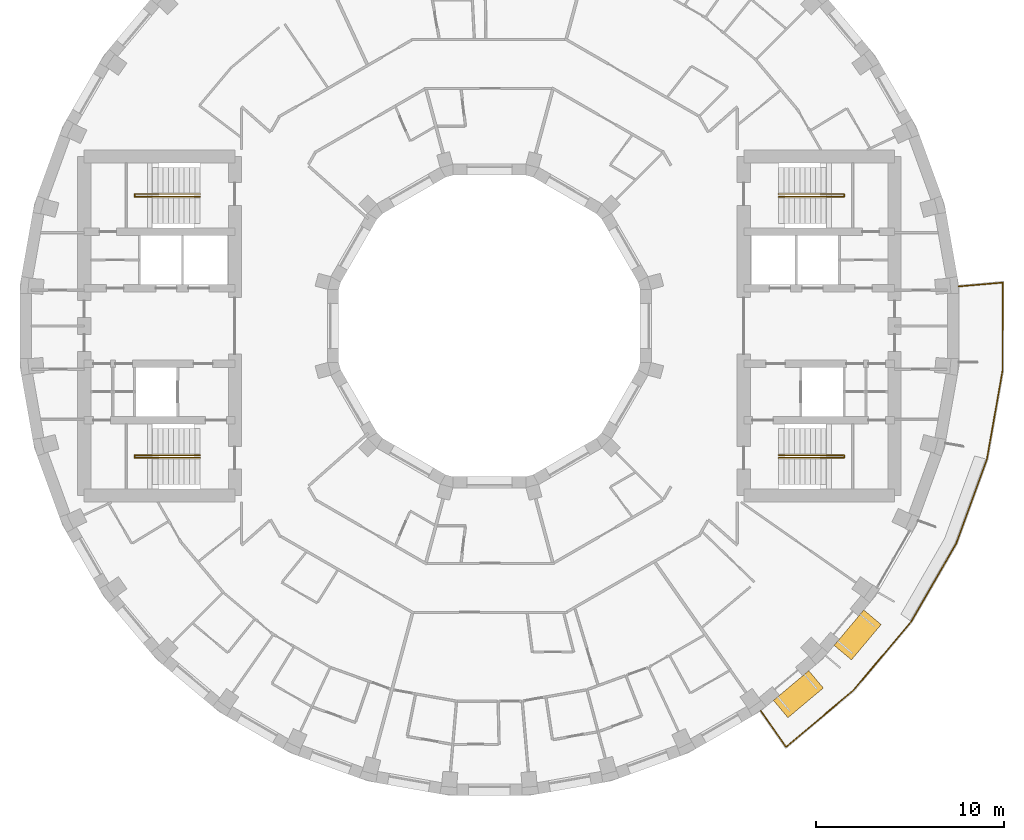
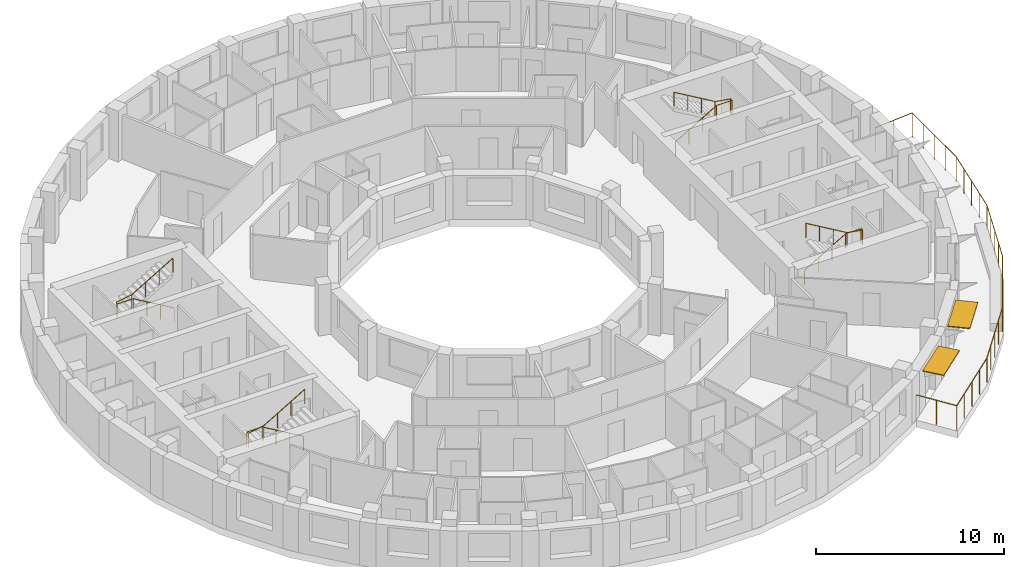
# One storey, part 14 of 14: 5 railings, 2 shading devices.
"""IFC4 building model written with IfcOpenShell, lengths in metres."""

import ifcopenshell
import ifcopenshell.guid

model = None  # the IFC model being written
_history = None  # IfcOwnerHistory: only IFC2X3 demands one
_inside = {}  # id of a spatial element -> (the spatial element, [elements in it])
_under = {}  # id of a project, library or spatial element -> (it, [spatial elements below it])
_declared = {}  # id of a project -> (the project, [libraries it declares])
_typed = {}  # id of a type object -> (the type object, [elements of that type])
_made_of = {}  # id of a material, layer set ... -> (it, [elements and type objects made of it])


def new_model(schema):
    """Start an empty IFC model of exactly this schema.

    Asked for "IFC4X3", IfcOpenShell would pick the latest addendum, in which some entities
    have other attributes; the version numbers below select the first issue.
    IFC2X3 requires an IfcOwnerHistory on every rooted entity: one is made here for all.
    """
    global model, _history
    if schema == "IFC4X3":
        model = ifcopenshell.file(schema_version=(4, 3, 0, 0))
    else:
        model = ifcopenshell.file(schema=schema)
    _inside.clear()
    _under.clear()
    _declared.clear()
    _typed.clear()
    _made_of.clear()
    _history = None
    if model.schema == "IFC2X3":
        org = make("IfcOrganization", Name="unknown")
        user = make(
            "IfcPersonAndOrganization",
            ThePerson=make("IfcPerson", FamilyName="unknown"),
            TheOrganization=org,
        )
        app = make(
            "IfcApplication",
            ApplicationDeveloper=org,
            Version="unknown",
            ApplicationFullName="unknown",
            ApplicationIdentifier="unknown",
        )
        _history = make(
            "IfcOwnerHistory",
            OwningUser=user,
            OwningApplication=app,
            ChangeAction="ADDED",
            CreationDate=0,
        )
    return model


def make(cls, **values):
    """One entity of the class cls with the attributes given. An attribute that is None is left unset."""
    return model.create_entity(
        cls, **{name: value for name, value in values.items() if value is not None}
    )


def rooted(cls, **values):
    """An entity with a GlobalId (a new one), such as an element, a storey or a relation."""
    return make(cls, GlobalId=ifcopenshell.guid.new(), OwnerHistory=_history, **values)


def si_unit(unit_type, name, prefix=None):
    """IfcSIUnit, for example si_unit("LENGTHUNIT", "METRE", prefix="MILLI")."""
    return make("IfcSIUnit", UnitType=unit_type, Prefix=prefix, Name=name)


def assignment(units):
    """IfcUnitAssignment: the units of a project."""
    return None if units is None else make("IfcUnitAssignment", Units=units)


def point(xyz):
    """IfcCartesianPoint."""
    return None if xyz is None else make("IfcCartesianPoint", Coordinates=xyz)


def direction(xyz):
    """IfcDirection."""
    return None if xyz is None else make("IfcDirection", DirectionRatios=xyz)


def frame(location, z_axis=None, x_axis=None):
    """IfcAxis2Placement3D, a coordinate frame: its origin and axes. An axis left out is left unset."""
    return make(
        "IfcAxis2Placement3D",
        Location=point(location),
        Axis=direction(z_axis),
        RefDirection=direction(x_axis),
    )


def frame_2d(location, x_axis=None):
    """IfcAxis2Placement2D, a coordinate frame in the plane: its origin and x axis."""
    return make(
        "IfcAxis2Placement2D", Location=point(location), RefDirection=direction(x_axis)
    )


def origin():
    """The frame at (0, 0, 0) with its axes left unset."""
    return frame((0.0, 0.0, 0.0))


def origin_2d():
    """The frame at (0, 0) in the plane with its x axis left unset."""
    return frame_2d((0.0, 0.0))


def place(relative_to, where):
    """IfcLocalPlacement: puts the frame where relative to a parent placement (None: the world)."""
    return make(
        "IfcLocalPlacement", PlacementRelTo=relative_to, RelativePlacement=where
    )


def context(
    kind, dimensions, precision=None, world=None, true_north=None, identifier=None
):
    """IfcGeometricRepresentationContext, for example the 3D "Model" context."""
    return make(
        "IfcGeometricRepresentationContext",
        ContextIdentifier=identifier,
        ContextType=kind,
        CoordinateSpaceDimension=dimensions,
        Precision=precision,
        WorldCoordinateSystem=world,
        TrueNorth=true_north,
    )


def subcontext(parent, identifier, kind, view, scale=None):
    """IfcGeometricRepresentationSubContext, for example "Body" below "Model"."""
    return make(
        "IfcGeometricRepresentationSubContext",
        ContextIdentifier=identifier,
        ContextType=kind,
        ParentContext=parent,
        TargetScale=scale,
        TargetView=view,
    )


def project(units=None, contexts=None):
    """IfcProject with its units and contexts."""
    return rooted(
        "IfcProject",
        Name="project",
        RepresentationContexts=contexts,
        UnitsInContext=assignment(units),
    )


def spatial(cls, under=None, at=None, **own):
    """A site, building, storey or space (cls), placed at a placement, below another one or the project."""
    s = rooted(cls, ObjectPlacement=at, **own)
    if under is not None:
        _under.setdefault(under.id(), (under, []))[1].append(s)
    return s


def profile(cls, at=None, kind="AREA", **sizes):
    """A parametric profile (cls). Its sizes go by their IFC names, for example OverallWidth=200.0."""
    return make(cls, ProfileType=kind, Position=at, **sizes)


def rectangle(**sizes):
    """IfcRectangleProfileDef."""
    return profile("IfcRectangleProfileDef", **sizes)


def circle(**sizes):
    """IfcCircleProfileDef."""
    return profile("IfcCircleProfileDef", **sizes)


def extrude(swept, where, along, depth):
    """IfcExtrudedAreaSolid: the profile swept, set in the frame where, extruded along a direction by depth."""
    return make(
        "IfcExtrudedAreaSolid",
        SweptArea=swept,
        Position=where,
        ExtrudedDirection=direction(along),
        Depth=depth,
    )


def shape(context_of_items, identifier, shape_type, items):
    """IfcShapeRepresentation: the items that make up one representation, for example the "Body"."""
    return make(
        "IfcShapeRepresentation",
        ContextOfItems=context_of_items,
        RepresentationIdentifier=identifier,
        RepresentationType=shape_type,
        Items=items,
    )


def material(Name=None, Category=None):
    """IfcMaterial."""
    return make("IfcMaterial", Name=Name, Category=Category)


def layer(
    of_material, thickness, ventilated=None, Name=None, Category=None, Priority=None
):
    """IfcMaterialLayer: one layer of a wall or slab, of a material (None: an air gap)."""
    return make(
        "IfcMaterialLayer",
        Material=of_material,
        LayerThickness=thickness,
        IsVentilated=ventilated,
        Name=Name,
        Category=Category,
        Priority=Priority,
    )


def layer_set(layers, Name=None):
    """IfcMaterialLayerSet."""
    return make("IfcMaterialLayerSet", MaterialLayers=layers, LayerSetName=Name)


def made_of(thing, what):
    """Note that an element or type object is made of a material, layer set ...; save() writes the relation."""
    if what is not None:
        _made_of.setdefault(what.id(), (what, []))[1].append(thing)
    return thing


def type_object(cls, material=None, **own):
    """A type object (cls), such as IfcWallType, which elements share."""
    return made_of(rooted(cls, **own), material)


def element(
    cls,
    number,
    at=None,
    inside=None,
    cuts=None,
    type_object=None,
    material=None,
    context=None,
    identifier="Body",
    shape_type=None,
    held_by="IfcProductDefinitionShape",
    body=None,
    shapes=None,
    **own,
):
    """One element of the class cls, such as IfcWall. Its Tag is "e" and its number.

    at: its placement. inside: the storey or other place that contains it. cuts: it is an
    opening in that element (IfcRelVoidsElement). A single representation is given by context,
    identifier, shape_type and body (its items); several are given by shapes. held_by: the class
    of the entity that holds the representations. save() writes the other relations.
    """
    e = rooted(cls, Tag="e%d" % number, ObjectPlacement=at, **own)
    if body is not None:
        shapes = [shape(context, identifier, shape_type, body)]
    if shapes is not None:
        e.Representation = make(held_by, Representations=shapes)
    if inside is not None:
        _inside.setdefault(inside.id(), (inside, []))[1].append(e)
    if cuts is not None:
        rooted(
            "IfcRelVoidsElement", RelatingBuildingElement=cuts, RelatedOpeningElement=e
        )
    if type_object is not None:
        _typed.setdefault(type_object.id(), (type_object, []))[1].append(e)
    return made_of(e, material)


def aggregate(whole, parts):
    """IfcRelAggregates: a whole, such as a stair, and the parts it consists of."""
    return rooted("IfcRelAggregates", RelatingObject=whole, RelatedObjects=parts)


def save(model, path):
    """Write the relations noted so far, then the file.

    IfcRelAggregates (storeys below a building ...), IfcRelContainedInSpatialStructure (elements
    in a storey), IfcRelDefinesByType, IfcRelAssociatesMaterial and IfcRelDeclares: one each for
    every whole, place, type object, material and project.
    """
    for whole, parts in _under.values():
        aggregate(whole, parts)
    for where, things in _inside.values():
        rooted(
            "IfcRelContainedInSpatialStructure",
            RelatedElements=things,
            RelatingStructure=where,
        )
    for kind, things in _typed.values():
        rooted("IfcRelDefinesByType", RelatedObjects=things, RelatingType=kind)
    for what, things in _made_of.values():
        rooted("IfcRelAssociatesMaterial", RelatedObjects=things, RelatingMaterial=what)
    for by, libraries in _declared.values():
        rooted("IfcRelDeclares", RelatingContext=by, RelatedDefinitions=libraries)
    model.write(path)


model = new_model("IFC4")

# Units and contexts
model_context = context("Model", 3, precision=1e-05, world=origin(), true_north=direction((0.0, 1.0)))
body_context = subcontext(model_context, "Body", "Model", "MODEL_VIEW")
ifc_project = project(units=[si_unit("LENGTHUNIT", "METRE"), si_unit("AREAUNIT", "SQUARE_METRE"), si_unit("VOLUMEUNIT", "CUBIC_METRE"), si_unit("PLANEANGLEUNIT", "RADIAN"), si_unit("MASSUNIT", "GRAM", prefix="KILO")], contexts=[model_context])

# Site, building, storey
site_placement = place(None, origin())
site = spatial("IfcSite", under=ifc_project, at=site_placement, CompositionType="ELEMENT")
building_placement = place(site_placement, origin())
building = spatial("IfcBuilding", under=site, at=building_placement, Name="Saqina Gate Tower", CompositionType="ELEMENT")
storey_placement = place(building_placement, frame((0.0, 0.0, 174.0)))
storey = spatial("IfcBuildingStorey", under=building, at=storey_placement, Name="L49", CompositionType="ELEMENT", Elevation=174.0)

# Shading devices
ifc_material_1 = material(Name="Aluminium and fabric awning", Category="aluminium")
ifc_layer = layer(ifc_material_1, 0.050048828125)
ifc_layer_set = layer_set([ifc_layer], Name="AW-TERRACE")
shading_device_type = type_object("IfcShadingDeviceType", Name="AW-TERRACE", PredefinedType="AWNING", material=ifc_layer_set)
for number, where, z_axis, x_axis, name in (
    (1, (16.394287109375, -19.537841796875, 2.52490234375), (0.0, 0.0, 1.0), (0.766044443119, 0.642787609687, 0.0), "Terrace awning L49 facet 31"),
    (2, (19.537841796875, -16.394287109375, 2.52490234375), (0.0, 0.0, 1.0), (0.642787609687, 0.766044443119, 0.0), "Terrace awning L49 facet 32"),
):
    element("IfcShadingDevice", number, at=place(storey_placement, frame(where, z_axis=z_axis, x_axis=x_axis)), inside=storey, type_object=shading_device_type, Name=name, PredefinedType="AWNING", context=body_context, shape_type="SweptSolid", body=[
        extrude(rectangle(XDim=2.44970703125, YDim=1.199951171875, at=origin_2d()), origin(), (0.0, 0.0, 1.0), 0.050048828125),
    ])

# Railings
ifc_material_2 = material(Name="Stainless steel", Category="steel")
railing_type_1 = type_object("IfcRailingType", Name="RL-TERRACE", PredefinedType="GUARDRAIL", material=ifc_material_2)
railing_1_placement = place(storey_placement, frame((14.37060546875, -20.3837890625, 0.0)))
element("IfcRailing", 3, at=railing_1_placement, inside=storey, type_object=railing_type_1, Name="Terrace guard L49", PredefinedType="GUARDRAIL", context=body_context, shape_type="SweptSolid", body=[
    extrude(circle(Radius=0.02392578125, at=origin_2d()), frame((0.0, 0.0, 1.576171875), z_axis=(0.573565229124, -0.819159891559, 0.0), x_axis=(0.819159891559, 0.573565229124, 0.0)), (0.0, 0.0, 1.0), 2.388671875),
    extrude(circle(Radius=0.02392578125, at=origin_2d()), frame((1.3701171875, -1.956787109375, 1.576171875), z_axis=(0.765097689878, 0.643914221728, 0.0), x_axis=(-0.643914221728, 0.765097689878, 0.0)), (0.0, 0.0, 1.0), 4.68408203125),
    extrude(circle(Radius=0.02392578125, at=origin_2d()), frame((4.953857421875, 1.059326171875, 1.576171875), z_axis=(0.642786942402, 0.766045003037, 0.0), x_axis=(-0.766045003037, 0.642786942402, 0.0)), (0.0, 0.0, 1.0), 4.763671875),
    extrude(circle(Radius=0.02392578125, at=origin_2d()), frame((8.015869140625, 4.70849609375, 1.576171875), z_axis=(0.499997507361, 0.866026842905, 0.0), x_axis=(-0.866026842905, 0.499997507361, 0.0)), (0.0, 0.0, 1.0), 4.763671875),
    extrude(circle(Radius=0.02392578125, at=origin_2d()), frame((10.397705078125, 8.833984375, 1.576171875), z_axis=(0.342031084868, 0.939688638318, 0.0), x_axis=(-0.939688638318, 0.342031084868, 0.0)), (0.0, 0.0, 1.0), 4.763916015625),
    extrude(circle(Radius=0.02392578125, at=origin_2d()), frame((12.027099609375, 13.310546875, 1.576171875), z_axis=(0.173633303123, 0.98481037568, 0.0), x_axis=(-0.98481037568, 0.173633303123, 0.0)), (0.0, 0.0, 1.0), 4.763671875),
    extrude(circle(Radius=0.02392578125, at=origin_2d()), frame((12.854248046875, 18.001953125, 1.576171875), z_axis=(0.001459395923, 0.999998935081, 0.0), x_axis=(-0.999998935081, 0.001459395923, 0.0)), (0.0, 0.0, 1.0), 4.68408203125),
    extrude(circle(Radius=0.02392578125, at=origin_2d()), frame((12.861083984375, 22.68603515625, 1.576171875), z_axis=(-0.996192497087, -0.087180896688, 0.0), x_axis=(0.087180896688, -0.996192497087, 0.0)), (0.0, 0.0, 1.0), 2.388671875),
    extrude(circle(Radius=0.02099609375, at=origin_2d()), origin(), (0.0, 0.0, 1.0), 1.552001953125),
    extrude(circle(Radius=0.02099609375, at=origin_2d()), frame((0.68505859375, -0.978515625, 0.0)), (0.0, 0.0, 1.0), 1.552001953125),
    extrude(circle(Radius=0.02099609375, at=origin_2d()), frame((1.3701171875, -1.956787109375, 0.0)), (0.0, 0.0, 1.0), 1.552001953125),
    extrude(circle(Radius=0.02099609375, at=origin_2d()), frame((2.26611328125, -1.20263671875, 0.0)), (0.0, 0.0, 1.0), 1.552001953125),
    extrude(circle(Radius=0.02099609375, at=origin_2d()), frame((3.162109375, -0.44873046875, 0.0)), (0.0, 0.0, 1.0), 1.552001953125),
    extrude(circle(Radius=0.02099609375, at=origin_2d()), frame((4.057861328125, 0.30517578125, 0.0)), (0.0, 0.0, 1.0), 1.552001953125),
    extrude(circle(Radius=0.02099609375, at=origin_2d()), frame((4.953857421875, 1.059326171875, 0.0)), (0.0, 0.0, 1.0), 1.552001953125),
    extrude(circle(Radius=0.02099609375, at=origin_2d()), frame((5.71923828125, 1.9716796875, 0.0)), (0.0, 0.0, 1.0), 1.552001953125),
    extrude(circle(Radius=0.02099609375, at=origin_2d()), frame((6.48486328125, 2.8837890625, 0.0)), (0.0, 0.0, 1.0), 1.552001953125),
    extrude(circle(Radius=0.02099609375, at=origin_2d()), frame((7.25048828125, 3.796142578125, 0.0)), (0.0, 0.0, 1.0), 1.552001953125),
    extrude(circle(Radius=0.02099609375, at=origin_2d()), frame((8.015869140625, 4.70849609375, 0.0)), (0.0, 0.0, 1.0), 1.552001953125),
    extrude(circle(Radius=0.02099609375, at=origin_2d()), frame((8.611328125, 5.73974609375, 0.0)), (0.0, 0.0, 1.0), 1.552001953125),
    extrude(circle(Radius=0.02099609375, at=origin_2d()), frame((9.206787109375, 6.771240234375, 0.0)), (0.0, 0.0, 1.0), 1.552001953125),
    extrude(circle(Radius=0.02099609375, at=origin_2d()), frame((9.80224609375, 7.802734375, 0.0)), (0.0, 0.0, 1.0), 1.552001953125),
    extrude(circle(Radius=0.02099609375, at=origin_2d()), frame((10.397705078125, 8.833984375, 0.0)), (0.0, 0.0, 1.0), 1.552001953125),
    extrude(circle(Radius=0.02099609375, at=origin_2d()), frame((10.80517578125, 9.953125, 0.0)), (0.0, 0.0, 1.0), 1.552001953125),
    extrude(circle(Radius=0.02099609375, at=origin_2d()), frame((11.21240234375, 11.072265625, 0.0)), (0.0, 0.0, 1.0), 1.552001953125),
    extrude(circle(Radius=0.02099609375, at=origin_2d()), frame((11.61962890625, 12.19140625, 0.0)), (0.0, 0.0, 1.0), 1.552001953125),
    extrude(circle(Radius=0.02099609375, at=origin_2d()), frame((12.027099609375, 13.310546875, 0.0)), (0.0, 0.0, 1.0), 1.552001953125),
    extrude(circle(Radius=0.02099609375, at=origin_2d()), frame((12.23388671875, 14.4833984375, 0.0)), (0.0, 0.0, 1.0), 1.552001953125),
    extrude(circle(Radius=0.02099609375, at=origin_2d()), frame((12.440673828125, 15.65625, 0.0)), (0.0, 0.0, 1.0), 1.552001953125),
    extrude(circle(Radius=0.02099609375, at=origin_2d()), frame((12.6474609375, 16.8291015625, 0.0)), (0.0, 0.0, 1.0), 1.552001953125),
    extrude(circle(Radius=0.02099609375, at=origin_2d()), frame((12.854248046875, 18.001953125, 0.0)), (0.0, 0.0, 1.0), 1.552001953125),
    extrude(circle(Radius=0.02099609375, at=origin_2d()), frame((12.85595703125, 19.1728515625, 0.0)), (0.0, 0.0, 1.0), 1.552001953125),
    extrude(circle(Radius=0.02099609375, at=origin_2d()), frame((12.857666015625, 20.343994140625, 0.0)), (0.0, 0.0, 1.0), 1.552001953125),
    extrude(circle(Radius=0.02099609375, at=origin_2d()), frame((12.859375, 21.51513671875, 0.0)), (0.0, 0.0, 1.0), 1.552001953125),
    extrude(circle(Radius=0.02099609375, at=origin_2d()), frame((12.861083984375, 22.68603515625, 0.0)), (0.0, 0.0, 1.0), 1.552001953125),
    extrude(circle(Radius=0.02099609375, at=origin_2d()), frame((11.67138671875, 22.58203125, 0.0)), (0.0, 0.0, 1.0), 1.552001953125),
    extrude(circle(Radius=0.02099609375, at=origin_2d()), frame((10.4814453125, 22.477783203125, 0.0)), (0.0, 0.0, 1.0), 1.552001953125),
])
ifc_material_3 = material(Name="Stainless steel", Category="steel")
railing_type_2 = type_object("IfcRailingType", Name="STAIR HANDRAIL", PredefinedType="HANDRAIL", material=ifc_material_3)
railing_2_placement = place(storey_placement, frame((15.35009765625, 6.85009765625, 0.1650390625)))
element("IfcRailing", 4, at=railing_2_placement, inside=storey, type_object=railing_type_2, Name="EXIT STAIR 1 HANDRAIL", PredefinedType="HANDRAIL", context=body_context, shape_type="SweptSolid", body=[
    extrude(circle(Radius=0.02392578125, at=origin_2d()), frame((0.0, 0.0, 0.92578125), z_axis=(0.861560626758, 0.0, 0.507654692109), x_axis=(0.0, 1.0, 0.0)), (0.0, 0.0, 1.0), 2.925048828125),
    extrude(circle(Radius=0.02392578125, at=origin_2d()), frame((2.52001953125, 0.0, 2.41064453125), z_axis=(1.0, 0.0, 0.0), x_axis=(0.0, 1.0, 0.0)), (0.0, 0.0, 1.0), 0.949951171875),
    extrude(circle(Radius=0.02392578125, at=origin_2d()), frame((3.469970703125, 0.0, 2.41064453125), z_axis=(0.0, 1.0, 0.0), x_axis=(-1.0, 0.0, 0.0)), (0.0, 0.0, 1.0), 0.14990234375),
    extrude(circle(Radius=0.02392578125, at=origin_2d()), frame((3.469970703125, 0.14990234375, 2.41064453125), z_axis=(-0.985241474778, 0.0, 0.171170197109), x_axis=(0.0, -1.0, 0.0)), (0.0, 0.0, 1.0), 0.964111328125),
    extrude(circle(Radius=0.02392578125, at=origin_2d()), frame((2.52001953125, 0.14990234375, 2.57568359375), z_axis=(-0.86152411907, 0.0, 0.507716645641), x_axis=(0.0, -1.0, 0.0)), (0.0, 0.0, 1.0), 2.925048828125),
    extrude(circle(Radius=0.02099609375, at=origin_2d()), origin(), (0.0, 0.0, 1.0), 0.90185546875),
    extrude(circle(Radius=0.02099609375, at=origin_2d()), frame((0.840087890625, 0.0, 0.494873046875)), (0.0, 0.0, 1.0), 0.90185546875),
    extrude(circle(Radius=0.02099609375, at=origin_2d()), frame((1.679931640625, 0.0, 0.989990234375)), (0.0, 0.0, 1.0), 0.90185546875),
    extrude(circle(Radius=0.02099609375, at=origin_2d()), frame((2.52001953125, 0.0, 1.48486328125)), (0.0, 0.0, 1.0), 0.90185546875),
    extrude(circle(Radius=0.02099609375, at=origin_2d()), frame((3.469970703125, 0.0, 1.48486328125)), (0.0, 0.0, 1.0), 0.90185546875),
    extrude(circle(Radius=0.02099609375, at=origin_2d()), frame((3.469970703125, 0.14990234375, 1.48486328125)), (0.0, 0.0, 1.0), 0.90185546875),
    extrude(circle(Radius=0.02099609375, at=origin_2d()), frame((2.52001953125, 0.14990234375, 1.64990234375)), (0.0, 0.0, 1.0), 0.90185546875),
    extrude(circle(Radius=0.02099609375, at=origin_2d()), frame((1.679931640625, 0.14990234375, 2.14501953125)), (0.0, 0.0, 1.0), 0.90185546875),
    extrude(circle(Radius=0.02099609375, at=origin_2d()), frame((0.840087890625, 0.14990234375, 2.639892578125)), (0.0, 0.0, 1.0), 0.90185546875),
    extrude(circle(Radius=0.02099609375, at=origin_2d()), frame((0.0, 0.14990234375, 3.135009765625)), (0.0, 0.0, 1.0), 0.90185546875),
])
railing_3_placement = place(storey_placement, frame((15.35009765625, -6.85009765625, 0.1650390625)))
element("IfcRailing", 5, at=railing_3_placement, inside=storey, type_object=railing_type_2, Name="EXIT STAIR 2 HANDRAIL", PredefinedType="HANDRAIL", context=body_context, shape_type="SweptSolid", body=[
    extrude(circle(Radius=0.02392578125, at=origin_2d()), frame((0.0, 0.0, 0.92578125), z_axis=(0.861560626758, 0.0, 0.507654692109), x_axis=(0.0, 1.0, 0.0)), (0.0, 0.0, 1.0), 2.925048828125),
    extrude(circle(Radius=0.02392578125, at=origin_2d()), frame((2.52001953125, 0.0, 2.41064453125), z_axis=(1.0, 0.0, 0.0), x_axis=(0.0, 1.0, 0.0)), (0.0, 0.0, 1.0), 0.949951171875),
    extrude(circle(Radius=0.02392578125, at=origin_2d()), frame((3.469970703125, 0.0, 2.41064453125), z_axis=(0.0, -1.0, 0.0), x_axis=(1.0, 0.0, 0.0)), (0.0, 0.0, 1.0), 0.14990234375),
    extrude(circle(Radius=0.02392578125, at=origin_2d()), frame((3.469970703125, -0.14990234375, 2.41064453125), z_axis=(-0.985241474778, 0.0, 0.171170197109), x_axis=(0.0, -1.0, 0.0)), (0.0, 0.0, 1.0), 0.964111328125),
    extrude(circle(Radius=0.02392578125, at=origin_2d()), frame((2.52001953125, -0.14990234375, 2.57568359375), z_axis=(-0.86152411907, 0.0, 0.507716645641), x_axis=(0.0, -1.0, 0.0)), (0.0, 0.0, 1.0), 2.925048828125),
    extrude(circle(Radius=0.02099609375, at=origin_2d()), origin(), (0.0, 0.0, 1.0), 0.90185546875),
    extrude(circle(Radius=0.02099609375, at=origin_2d()), frame((0.840087890625, 0.0, 0.494873046875)), (0.0, 0.0, 1.0), 0.90185546875),
    extrude(circle(Radius=0.02099609375, at=origin_2d()), frame((1.679931640625, 0.0, 0.989990234375)), (0.0, 0.0, 1.0), 0.90185546875),
    extrude(circle(Radius=0.02099609375, at=origin_2d()), frame((2.52001953125, 0.0, 1.48486328125)), (0.0, 0.0, 1.0), 0.90185546875),
    extrude(circle(Radius=0.02099609375, at=origin_2d()), frame((3.469970703125, 0.0, 1.48486328125)), (0.0, 0.0, 1.0), 0.90185546875),
    extrude(circle(Radius=0.02099609375, at=origin_2d()), frame((3.469970703125, -0.14990234375, 1.48486328125)), (0.0, 0.0, 1.0), 0.90185546875),
    extrude(circle(Radius=0.02099609375, at=origin_2d()), frame((2.52001953125, -0.14990234375, 1.64990234375)), (0.0, 0.0, 1.0), 0.90185546875),
    extrude(circle(Radius=0.02099609375, at=origin_2d()), frame((1.679931640625, -0.14990234375, 2.14501953125)), (0.0, 0.0, 1.0), 0.90185546875),
    extrude(circle(Radius=0.02099609375, at=origin_2d()), frame((0.840087890625, -0.14990234375, 2.639892578125)), (0.0, 0.0, 1.0), 0.90185546875),
    extrude(circle(Radius=0.02099609375, at=origin_2d()), frame((0.0, -0.14990234375, 3.135009765625)), (0.0, 0.0, 1.0), 0.90185546875),
])
railing_4_placement = place(storey_placement, frame((-15.35009765625, 6.85009765625, 0.1650390625)))
element("IfcRailing", 6, at=railing_4_placement, inside=storey, type_object=railing_type_2, Name="EXIT STAIR 3 HANDRAIL", PredefinedType="HANDRAIL", context=body_context, shape_type="SweptSolid", body=[
    extrude(circle(Radius=0.02392578125, at=origin_2d()), frame((0.0, 0.0, 0.92578125), z_axis=(-0.861560626758, 0.0, 0.507654692109), x_axis=(0.0, -1.0, 0.0)), (0.0, 0.0, 1.0), 2.925048828125),
    extrude(circle(Radius=0.02392578125, at=origin_2d()), frame((-2.52001953125, 0.0, 2.41064453125), z_axis=(-1.0, 0.0, 0.0), x_axis=(0.0, -1.0, 0.0)), (0.0, 0.0, 1.0), 0.949951171875),
    extrude(circle(Radius=0.02392578125, at=origin_2d()), frame((-3.469970703125, 0.0, 2.41064453125), z_axis=(0.0, 1.0, 0.0), x_axis=(-1.0, 0.0, 0.0)), (0.0, 0.0, 1.0), 0.14990234375),
    extrude(circle(Radius=0.02392578125, at=origin_2d()), frame((-3.469970703125, 0.14990234375, 2.41064453125), z_axis=(0.985241474778, 0.0, 0.171170197109), x_axis=(0.0, 1.0, 0.0)), (0.0, 0.0, 1.0), 0.964111328125),
    extrude(circle(Radius=0.02392578125, at=origin_2d()), frame((-2.52001953125, 0.14990234375, 2.57568359375), z_axis=(0.86152411907, 0.0, 0.507716645641), x_axis=(0.0, 1.0, 0.0)), (0.0, 0.0, 1.0), 2.925048828125),
    extrude(circle(Radius=0.02099609375, at=origin_2d()), origin(), (0.0, 0.0, 1.0), 0.90185546875),
    extrude(circle(Radius=0.02099609375, at=origin_2d()), frame((-0.840087890625, 0.0, 0.494873046875)), (0.0, 0.0, 1.0), 0.90185546875),
    extrude(circle(Radius=0.02099609375, at=origin_2d()), frame((-1.679931640625, 0.0, 0.989990234375)), (0.0, 0.0, 1.0), 0.90185546875),
    extrude(circle(Radius=0.02099609375, at=origin_2d()), frame((-2.52001953125, 0.0, 1.48486328125)), (0.0, 0.0, 1.0), 0.90185546875),
    extrude(circle(Radius=0.02099609375, at=origin_2d()), frame((-3.469970703125, 0.0, 1.48486328125)), (0.0, 0.0, 1.0), 0.90185546875),
    extrude(circle(Radius=0.02099609375, at=origin_2d()), frame((-3.469970703125, 0.14990234375, 1.48486328125)), (0.0, 0.0, 1.0), 0.90185546875),
    extrude(circle(Radius=0.02099609375, at=origin_2d()), frame((-2.52001953125, 0.14990234375, 1.64990234375)), (0.0, 0.0, 1.0), 0.90185546875),
    extrude(circle(Radius=0.02099609375, at=origin_2d()), frame((-1.679931640625, 0.14990234375, 2.14501953125)), (0.0, 0.0, 1.0), 0.90185546875),
    extrude(circle(Radius=0.02099609375, at=origin_2d()), frame((-0.840087890625, 0.14990234375, 2.639892578125)), (0.0, 0.0, 1.0), 0.90185546875),
    extrude(circle(Radius=0.02099609375, at=origin_2d()), frame((0.0, 0.14990234375, 3.135009765625)), (0.0, 0.0, 1.0), 0.90185546875),
])
railing_5_placement = place(storey_placement, frame((-15.35009765625, -6.85009765625, 0.1650390625)))
element("IfcRailing", 7, at=railing_5_placement, inside=storey, type_object=railing_type_2, Name="EXIT STAIR 4 HANDRAIL", PredefinedType="HANDRAIL", context=body_context, shape_type="SweptSolid", body=[
    extrude(circle(Radius=0.02392578125, at=origin_2d()), frame((0.0, 0.0, 0.92578125), z_axis=(-0.861560626758, 0.0, 0.507654692109), x_axis=(0.0, -1.0, 0.0)), (0.0, 0.0, 1.0), 2.925048828125),
    extrude(circle(Radius=0.02392578125, at=origin_2d()), frame((-2.52001953125, 0.0, 2.41064453125), z_axis=(-1.0, 0.0, 0.0), x_axis=(0.0, -1.0, 0.0)), (0.0, 0.0, 1.0), 0.949951171875),
    extrude(circle(Radius=0.02392578125, at=origin_2d()), frame((-3.469970703125, 0.0, 2.41064453125), z_axis=(0.0, -1.0, 0.0), x_axis=(1.0, 0.0, 0.0)), (0.0, 0.0, 1.0), 0.14990234375),
    extrude(circle(Radius=0.02392578125, at=origin_2d()), frame((-3.469970703125, -0.14990234375, 2.41064453125), z_axis=(0.985241474778, 0.0, 0.171170197109), x_axis=(0.0, 1.0, 0.0)), (0.0, 0.0, 1.0), 0.964111328125),
    extrude(circle(Radius=0.02392578125, at=origin_2d()), frame((-2.52001953125, -0.14990234375, 2.57568359375), z_axis=(0.86152411907, 0.0, 0.507716645641), x_axis=(0.0, 1.0, 0.0)), (0.0, 0.0, 1.0), 2.925048828125),
    extrude(circle(Radius=0.02099609375, at=origin_2d()), origin(), (0.0, 0.0, 1.0), 0.90185546875),
    extrude(circle(Radius=0.02099609375, at=origin_2d()), frame((-0.840087890625, 0.0, 0.494873046875)), (0.0, 0.0, 1.0), 0.90185546875),
    extrude(circle(Radius=0.02099609375, at=origin_2d()), frame((-1.679931640625, 0.0, 0.989990234375)), (0.0, 0.0, 1.0), 0.90185546875),
    extrude(circle(Radius=0.02099609375, at=origin_2d()), frame((-2.52001953125, 0.0, 1.48486328125)), (0.0, 0.0, 1.0), 0.90185546875),
    extrude(circle(Radius=0.02099609375, at=origin_2d()), frame((-3.469970703125, 0.0, 1.48486328125)), (0.0, 0.0, 1.0), 0.90185546875),
    extrude(circle(Radius=0.02099609375, at=origin_2d()), frame((-3.469970703125, -0.14990234375, 1.48486328125)), (0.0, 0.0, 1.0), 0.90185546875),
    extrude(circle(Radius=0.02099609375, at=origin_2d()), frame((-2.52001953125, -0.14990234375, 1.64990234375)), (0.0, 0.0, 1.0), 0.90185546875),
    extrude(circle(Radius=0.02099609375, at=origin_2d()), frame((-1.679931640625, -0.14990234375, 2.14501953125)), (0.0, 0.0, 1.0), 0.90185546875),
    extrude(circle(Radius=0.02099609375, at=origin_2d()), frame((-0.840087890625, -0.14990234375, 2.639892578125)), (0.0, 0.0, 1.0), 0.90185546875),
    extrude(circle(Radius=0.02099609375, at=origin_2d()), frame((0.0, -0.14990234375, 3.135009765625)), (0.0, 0.0, 1.0), 0.90185546875),
])

save(model, "model.ifc")
